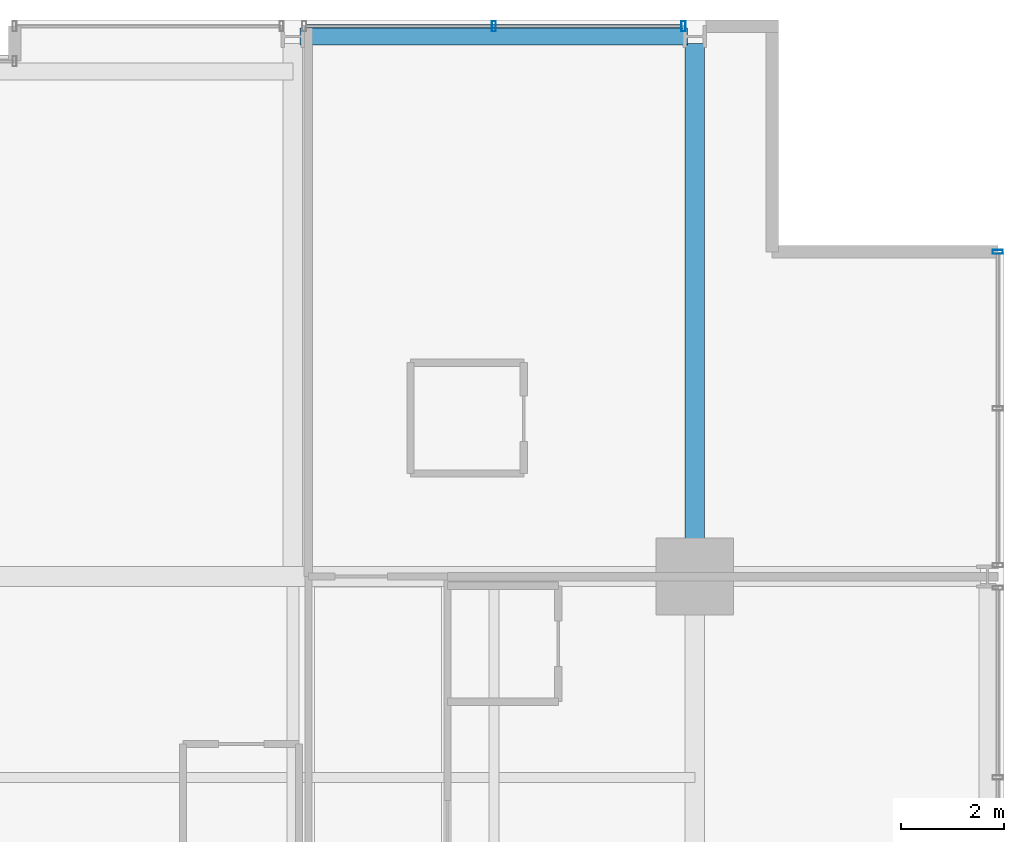
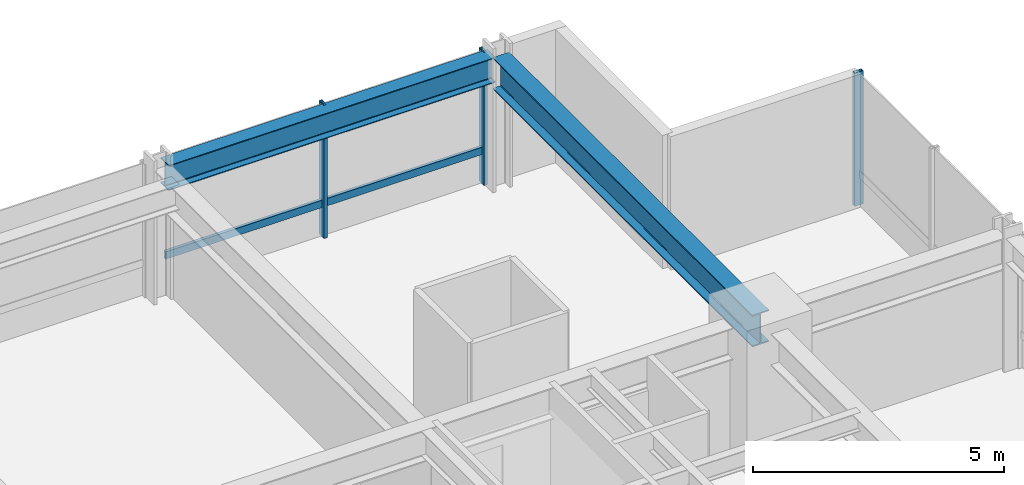
# One storey, part 26 of 34: 4 members, 2 beams, 2 elements without a shape of their own.
"""IFC4 building model written with IfcOpenShell, lengths in metres."""

from ifc_helpers import new_model, si_unit, direction, frame, origin, origin_2d, place, context, subcontext, project, spatial, hollow_rectangle, i_section, extrude, material, layer, layer_set, material_profile, profile_set, type_object, element, aggregate, save


model = new_model("IFC4")

# Units and contexts
model_context = context("Model", 3, precision=1e-05, world=origin(), true_north=direction((0.0, 1.0)))
body_context = subcontext(model_context, "Body", "Model", "MODEL_VIEW")
ifc_project = project(units=[si_unit("LENGTHUNIT", "METRE"), si_unit("AREAUNIT", "SQUARE_METRE"), si_unit("VOLUMEUNIT", "CUBIC_METRE"), si_unit("PLANEANGLEUNIT", "RADIAN"), si_unit("MASSUNIT", "GRAM", prefix="KILO")], contexts=[model_context])

# Site, building, storey
site_placement = place(None, origin())
site = spatial("IfcSite", under=ifc_project, at=site_placement, CompositionType="ELEMENT")
building_placement = place(site_placement, origin())
building = spatial("IfcBuilding", under=site, at=building_placement, Name="Drelvath Grand Hotel", CompositionType="ELEMENT")
storey_placement = place(building_placement, frame((0.0, 0.0, 102.300048828125)))
storey = spatial("IfcBuildingStorey", under=building, at=storey_placement, Name="L25", CompositionType="ELEMENT", Elevation=102.300048828125)

# Curtain wall, member
ifc_material_1 = material(Name="Champagne Bronze Anodised Aluminium Frame", Category="aluminium")
ifc_layer = layer(ifc_material_1, 0.199951171875)
ifc_layer_set = layer_set([ifc_layer], Name="Champagne Bronze Anodised Aluminium Frame")
curtain_wall_type = type_object("IfcCurtainWallType", Name="Stick Curtain Wall CW-03 Champagne Bronze Mid-Rise", PredefinedType="NOTDEFINED", material=ifc_layer_set)
curtain_wall_1_placement = place(storey_placement, origin())
curtain_wall_1 = element("IfcCurtainWall", 1, at=curtain_wall_1_placement, inside=storey, type_object=curtain_wall_type, Name="L25 CW-03 Curtain Wall CW03-L25-NE2", PredefinedType="NOTDEFINED")
ifc_material_profile_1 = material_profile(ifc_material_1, hollow_rectangle(XDim=0.074951171875, YDim=0.179931640625, WallThickness=0.0048828125, at=origin_2d()), Name="HSS180X75X5")
ifc_profile_set_1 = profile_set([ifc_material_profile_1], Name="Champagne Bronze Anodised Aluminium Frame")
member_type_1 = type_object("IfcMemberType", Name="Curtain Wall Horizontal Transom CW-03 HSS180X75X5", PredefinedType="USERDEFINED", material=ifc_profile_set_1)
member_1_placement = place(storey_placement, frame((8.65966796875, 53.8798828125, 0.81005859375), z_axis=(1.0, 0.0, 0.0), x_axis=(0.0, 1.0, 0.0)))
member_1 = element("IfcMember", 2, at=member_1_placement, type_object=member_type_1, Name="CW03-L25-NE2 Sill Transom", ObjectType="TRANSOM", PredefinedType="USERDEFINED", context=body_context, shape_type="SweptSolid", body=[
    extrude(hollow_rectangle(XDim=0.074951171875, YDim=0.179931640625, WallThickness=0.0048828125, at=origin_2d()), origin(), (0.0, 0.0, 1.0), 7.28076171875),
])

curtain_wall_2_placement = place(storey_placement, origin())
curtain_wall_2 = element("IfcCurtainWall", 3, at=curtain_wall_2_placement, inside=storey, type_object=curtain_wall_type, Name="L25 CW-03 Curtain Wall CW03-L25-EN3", PredefinedType="NOTDEFINED")
ifc_material_profile_2 = material_profile(ifc_material_1, hollow_rectangle(XDim=0.080078125, YDim=0.199951171875, WallThickness=0.0048828125, at=origin_2d()), Name="HSS200X80X5")
ifc_profile_set_2 = profile_set([ifc_material_profile_2], Name="Champagne Bronze Anodised Aluminium Frame")
member_type_2 = type_object("IfcMemberType", Name="Curtain Wall Vertical Mullion CW-03 HSS200X80X5", PredefinedType="MULLION", material=ifc_profile_set_2)
member_2_placement = place(storey_placement, frame((22.080078125, 49.5, 0.0), z_axis=(0.0, 0.0, 1.0), x_axis=(0.0, 1.0, 0.0)))
member_2 = element("IfcMember", 4, at=member_2_placement, type_object=member_type_2, Name="CW03-L25-EN3 Mullion 1", PredefinedType="MULLION", context=body_context, shape_type="SweptSolid", body=[
    extrude(hollow_rectangle(XDim=0.080078125, YDim=0.199951171875, WallThickness=0.0048828125, at=origin_2d()), origin(), (0.0, 0.0, 1.0), 3.239990234375),
])
aggregate(curtain_wall_2, [member_2])

# Member
member_3_placement = place(storey_placement, frame((12.300048828125, 53.8798828125, 0.0), z_axis=(0.0, 0.0, 1.0), x_axis=(1.0, 0.0, 0.0)))
member_3 = element("IfcMember", 5, at=member_3_placement, type_object=member_type_2, Name="CW03-L25-NE2 Mullion 2", PredefinedType="MULLION", context=body_context, shape_type="SweptSolid", body=[
    extrude(hollow_rectangle(XDim=0.080078125, YDim=0.199951171875, WallThickness=0.0048828125, at=origin_2d()), origin(), (0.0, 0.0, 1.0), 3.239990234375),
])

member_4_placement = place(storey_placement, frame((15.98046875, 53.8798828125, 0.0), z_axis=(0.0, 0.0, 1.0), x_axis=(1.0, 0.0, 0.0)))
member_4 = element("IfcMember", 6, at=member_4_placement, type_object=member_type_2, Name="CW03-L25-NE2 Mullion 3", PredefinedType="MULLION", context=body_context, shape_type="SweptSolid", body=[
    extrude(hollow_rectangle(XDim=0.080078125, YDim=0.199951171875, WallThickness=0.0048828125, at=origin_2d()), origin(), (0.0, 0.0, 1.0), 3.239990234375),
])

aggregate(curtain_wall_1, [member_3, member_4, member_1])

# Beams
ifc_material_2 = material(Name="Steel ASTM A992 Gr 50", Category="steel")
ifc_material_profile_3 = material_profile(ifc_material_2, i_section(OverallWidth=0.323974609375, OverallDepth=0.611083984375, WebThickness=0.0126953125, FlangeThickness=0.01904296875, FilletRadius=0.02197265625, at=origin_2d()), Name="W24X104")
ifc_profile_set_3 = profile_set([ifc_material_profile_3], Name="Steel ASTM A992 Gr 50")
beam_type_1 = type_object("IfcBeamType", Name="Perimeter Spandrel Beam W24X104", PredefinedType="SPANDREL", material=ifc_profile_set_3)
beam_1_placement = place(storey_placement, frame((8.5400390625, 53.679931640625, 2.9345703125), z_axis=(1.0, 0.0, 0.0), x_axis=(0.0, 1.0, 0.0)))
element("IfcBeam", 7, at=beam_1_placement, inside=storey, type_object=beam_type_1, Name="L25 Spandrel North E", PredefinedType="SPANDREL", context=body_context, shape_type="SweptSolid", body=[
    extrude(i_section(OverallWidth=0.323974609375, OverallDepth=0.611083984375, WebThickness=0.0126953125, FlangeThickness=0.01904296875, FilletRadius=0.02197265625, at=origin_2d()), origin(), (0.0, 0.0, 1.0), 7.52001953125),
])
ifc_material_profile_4 = material_profile(ifc_material_2, i_section(OverallWidth=0.380615234375, OverallDepth=0.773193359375, WebThickness=0.0166015625, FlangeThickness=0.027099609375, FilletRadius=0.02490234375, at=origin_2d()), Name="W30X173")
ifc_profile_set_4 = profile_set([ifc_material_profile_4], Name="Steel ASTM A992 Gr 50")
beam_type_2 = type_object("IfcBeamType", Name="Primary Floor Girder W30X173", PredefinedType="BEAM", material=ifc_profile_set_4)
beam_2_placement = place(storey_placement, frame((16.199951171875, 43.199951171875, 2.853271484375), z_axis=(0.0, 1.0, 0.0), x_axis=(-1.0, 0.0, 0.0)))
element("IfcBeam", 8, at=beam_2_placement, inside=storey, type_object=beam_type_2, Name="L25 North Grid Girder 7", PredefinedType="BEAM", context=body_context, shape_type="SweptSolid", body=[
    extrude(i_section(OverallWidth=0.380615234375, OverallDepth=0.773193359375, WebThickness=0.0166015625, FlangeThickness=0.027099609375, FilletRadius=0.02490234375, at=origin_2d()), origin(), (0.0, 0.0, 1.0), 10.340087890625),
])

save(model, "model.ifc")
